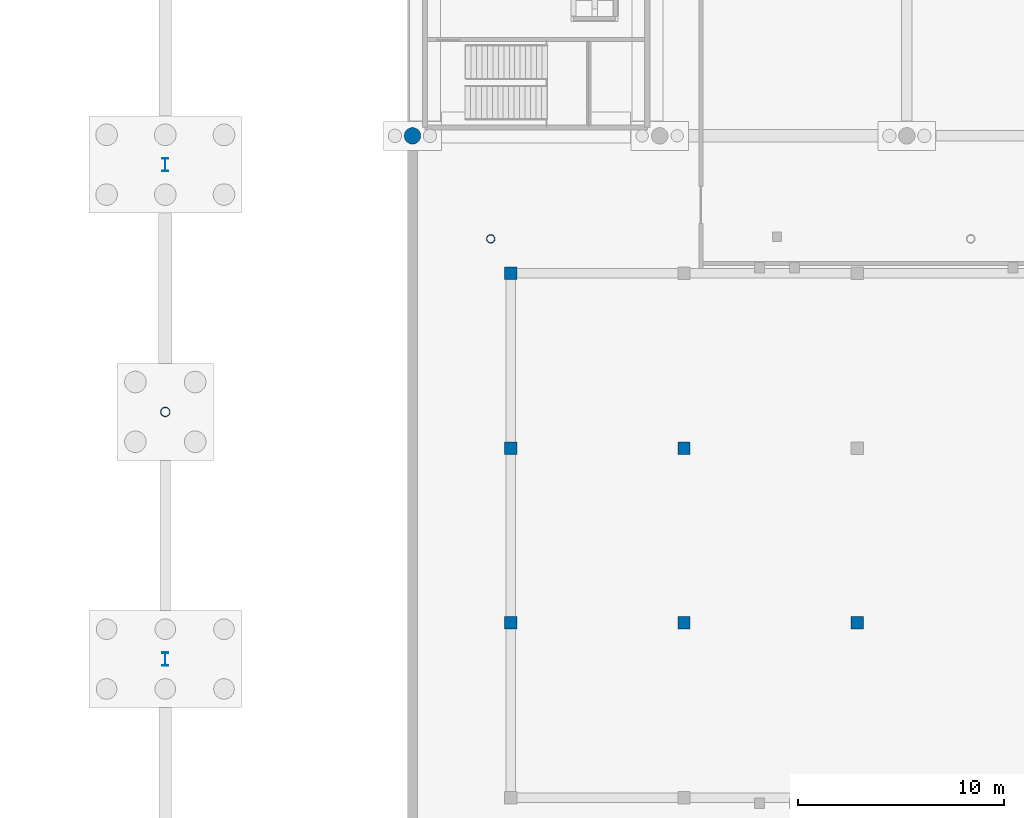
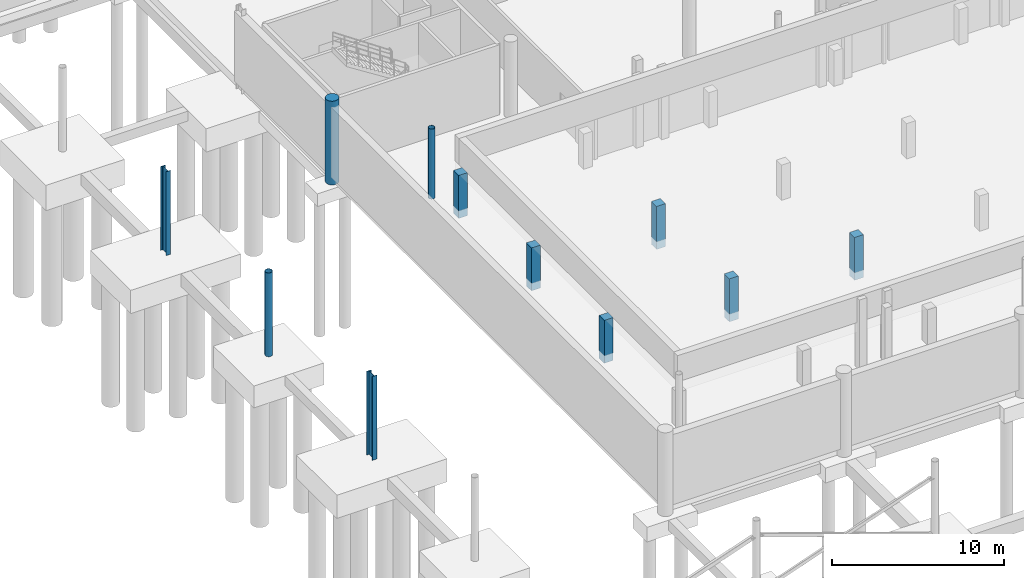
# One storey, part 11 of 42: 11 columns.
"""IFC4 building model written with IfcOpenShell, lengths in metres."""

from ifc_helpers import new_model, si_unit, direction, frame, origin, origin_2d, place, context, subcontext, project, spatial, rectangle, circle, hollow_circle, i_section, extrude, material, material_profile, profile_set, type_object, element, save


model = new_model("IFC4")

# Units and contexts
model_context = context("Model", 3, precision=1e-05, world=origin(), true_north=direction((0.0, 1.0)))
body_context = subcontext(model_context, "Body", "Model", "MODEL_VIEW")
ifc_project = project(units=[si_unit("LENGTHUNIT", "METRE"), si_unit("AREAUNIT", "SQUARE_METRE"), si_unit("VOLUMEUNIT", "CUBIC_METRE"), si_unit("PLANEANGLEUNIT", "RADIAN"), si_unit("MASSUNIT", "GRAM", prefix="KILO"), si_unit("THERMODYNAMICTEMPERATUREUNIT", "KELVIN"), si_unit("POWERUNIT", "WATT")], contexts=[model_context])

# Site, building, storey
site_placement = place(None, origin())
site = spatial("IfcSite", under=ifc_project, at=site_placement, CompositionType="ELEMENT")
building_placement = place(site_placement, origin())
building = spatial("IfcBuilding", under=site, at=building_placement, Name="Solmara Park Aquatics Centre", CompositionType="ELEMENT")
storey_placement = place(building_placement, frame((0.0, 0.0, -5.39990234375)))
storey = spatial("IfcBuildingStorey", under=building, at=storey_placement, Name="B1", CompositionType="ELEMENT", Elevation=-5.39990234375)

# Columns
ifc_material_1 = material(Name="Structural Steel S355", Category="steel")
ifc_material_profile_1 = material_profile(ifc_material_1, hollow_circle(Radius=0.203125, WallThickness=0.01611328125, at=origin_2d()), Name="CHS 406.4x16")
ifc_profile_set_1 = profile_set([ifc_material_profile_1], Name="Structural Steel S355")
column_type_1 = type_object("IfcColumnType", Name="STR-COL-CHS406", PredefinedType="COLUMN", material=ifc_profile_set_1)
column_1_placement = place(storey_placement, frame((28.39990234375, 57.0, 0.0), z_axis=(0.0, 0.0, 1.0), x_axis=(1.0, 0.0, 0.0)))
element("IfcColumn", 1, at=column_1_placement, inside=storey, type_object=column_type_1, Name="Upper Stand Front Column B1 N1-1", PredefinedType="COLUMN", context=body_context, shape_type="SweptSolid", body=[
    extrude(hollow_circle(Radius=0.203125, WallThickness=0.01611328125, at=origin_2d()), origin(), (0.0, 0.0, 1.0), 4.97998046875),
])
ifc_material_profile_2 = material_profile(ifc_material_1, hollow_circle(Radius=0.228515625, WallThickness=0.01611328125, at=origin_2d()), Name="CHS 457x16")
ifc_profile_set_2 = profile_set([ifc_material_profile_2], Name="Structural Steel S355")
column_type_2 = type_object("IfcColumnType", Name="STR-COL-CHS457", PredefinedType="COLUMN", material=ifc_profile_set_2)
column_2_placement = place(storey_placement, frame((12.60009765625, 48.60009765625, -0.550048828125), z_axis=(0.0, 0.0, 1.0), x_axis=(1.0, 0.0, 0.0)))
element("IfcColumn", 2, at=column_2_placement, inside=storey, type_object=column_type_2, Name="Column B1-0004", PredefinedType="COLUMN", context=body_context, shape_type="SweptSolid", body=[
    extrude(hollow_circle(Radius=0.228515625, WallThickness=0.01611328125, at=origin_2d()), origin(), (0.0, 0.0, 1.0), 5.949951171875),
])
ifc_material_profile_3 = material_profile(ifc_material_1, i_section(OverallWidth=0.300048828125, OverallDepth=0.64990234375, WebThickness=0.01611328125, FlangeThickness=0.031005859375, FilletRadius=0.027099609375, at=origin_2d()), Name="HEB 650")
ifc_profile_set_3 = profile_set([ifc_material_profile_3], Name="Structural Steel S355")
column_type_3 = type_object("IfcColumnType", Name="STR-COL-HEB650", PredefinedType="COLUMN", material=ifc_profile_set_3)
for number, where, z_axis, x_axis, name in (
    (3, (12.60009765625, 36.60009765625, -0.550048828125), (0.0, 0.0, 1.0), (1.0, 0.0, 0.0), "Column B1-0003"),
    (4, (12.60009765625, 60.60009765625, -0.550048828125), (0.0, 0.0, 1.0), (1.0, 0.0, 0.0), "Column B1-0005"),
):
    element("IfcColumn", number, at=place(storey_placement, frame(where, z_axis=z_axis, x_axis=x_axis)), inside=storey, type_object=column_type_3, Name=name, PredefinedType="COLUMN", context=body_context, shape_type="SweptSolid", body=[
        extrude(i_section(OverallWidth=0.300048828125, OverallDepth=0.64990234375, WebThickness=0.01611328125, FlangeThickness=0.031005859375, FilletRadius=0.027099609375, at=origin_2d()), origin(), (0.0, 0.0, 1.0), 5.949951171875),
    ])
ifc_material_2 = material(Name="Concrete C40/50", Category="concrete")
ifc_material_profile_4 = material_profile(ifc_material_2, rectangle(XDim=0.60009765625, YDim=0.60009765625, at=origin_2d()), Name="RC 600x600")
ifc_profile_set_4 = profile_set([ifc_material_profile_4], Name="Concrete C40/50")
column_type_4 = type_object("IfcColumnType", Name="STR-COL-RC600", PredefinedType="COLUMN", material=ifc_profile_set_4)
for number, where, z_axis, x_axis, name in (
    (5, (29.375, 38.3583984375, -0.550048828125), (0.0, 0.0, 1.0), (1.0, 0.0, 0.0), "Pool Tank Support Column 002"),
    (6, (29.375, 46.841796875, -0.550048828125), (0.0, 0.0, 1.0), (1.0, 0.0, 0.0), "Pool Tank Support Column 003"),
    (7, (29.375, 55.324951171875, -0.550048828125), (0.0, 0.0, 1.0), (1.0, 0.0, 0.0), "Pool Tank Support Column 004"),
    (8, (37.783203125, 38.3583984375, -0.550048828125), (0.0, 0.0, 1.0), (1.0, 0.0, 0.0), "Pool Tank Support Column 006"),
    (9, (37.783203125, 46.841796875, -0.550048828125), (0.0, 0.0, 1.0), (1.0, 0.0, 0.0), "Pool Tank Support Column 007"),
    (10, (46.191650390625, 38.3583984375, -0.550048828125), (0.0, 0.0, 1.0), (1.0, 0.0, 0.0), "Pool Tank Support Column 010"),
):
    element("IfcColumn", number, at=place(storey_placement, frame(where, z_axis=z_axis, x_axis=x_axis)), inside=storey, type_object=column_type_4, Name=name, PredefinedType="COLUMN", context=body_context, shape_type="SweptSolid", body=[
        extrude(rectangle(XDim=0.60009765625, YDim=0.60009765625, at=origin_2d()), origin(), (0.0, 0.0, 1.0), 3.050048828125),
    ])
ifc_material_profile_5 = material_profile(ifc_material_2, circle(Radius=0.39990234375, at=origin_2d()), Name="RC COL D800")
ifc_profile_set_5 = profile_set([ifc_material_profile_5], Name="Concrete C40/50")
column_type_5 = type_object("IfcColumnType", Name="STR-COL-RCD800", PredefinedType="COLUMN", material=ifc_profile_set_5)
column_3_placement = place(storey_placement, frame((24.60009765625, 62.0, -0.550048828125), z_axis=(0.0, 0.0, 1.0), x_axis=(1.0, 0.0, 0.0)))
element("IfcColumn", 11, at=column_3_placement, inside=storey, type_object=column_type_5, Name="Column B1-0012", PredefinedType="COLUMN", context=body_context, shape_type="SweptSolid", body=[
    extrude(circle(Radius=0.39990234375, at=origin_2d()), origin(), (0.0, 0.0, 1.0), 5.949951171875),
])

save(model, "model.ifc")
